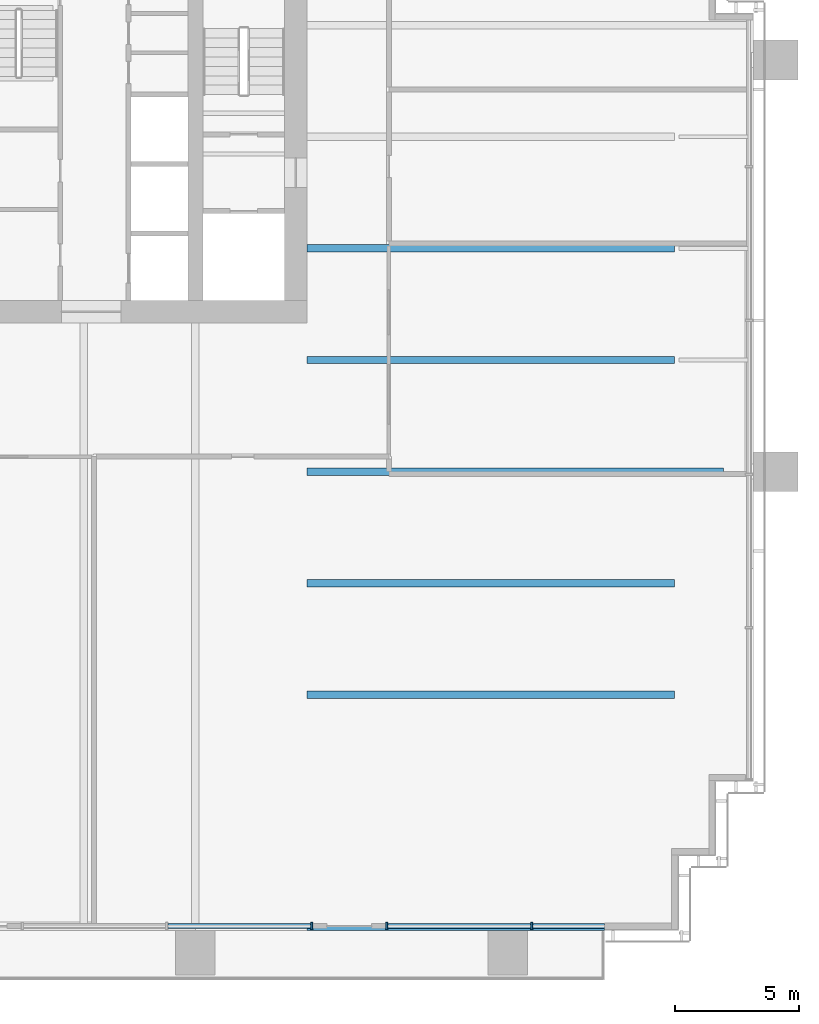
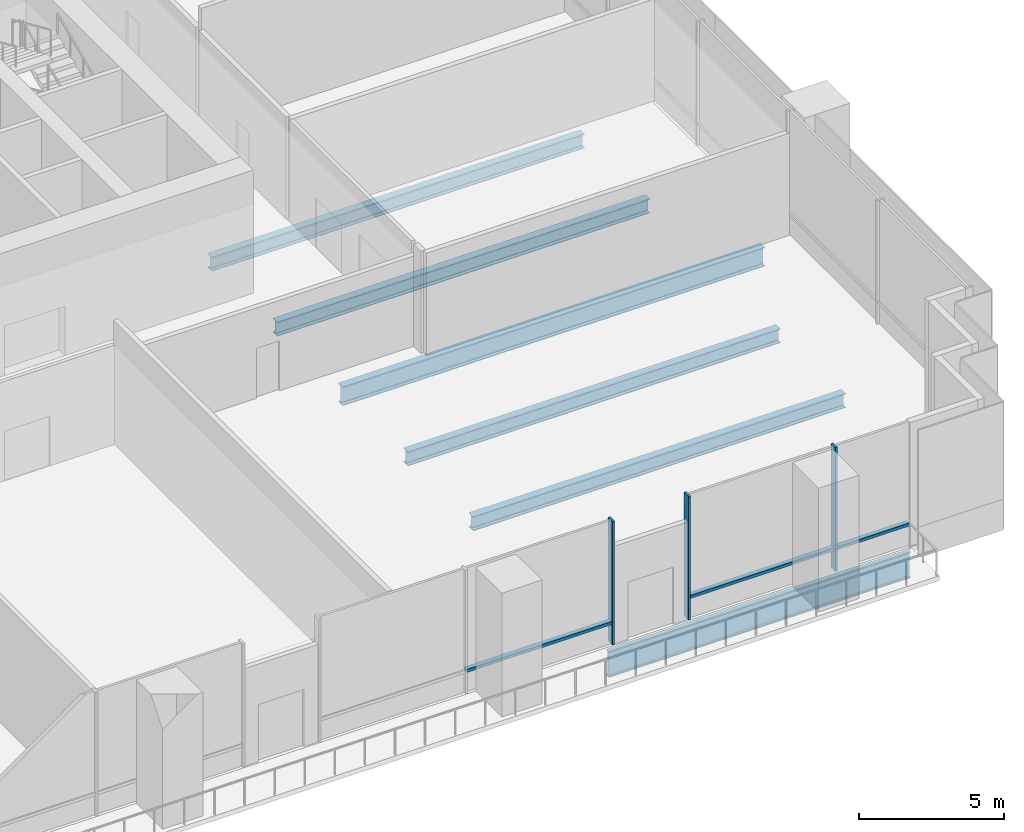
# One storey, part 3 of 15: 6 beams, 6 members, 2 elements without a shape of their own.
"""IFC4 building model written with IfcOpenShell, lengths in metres."""

from ifc_helpers import new_model, si_unit, direction, frame, origin, origin_2d, place, context, subcontext, project, spatial, rectangle, i_section, extrude, material, layer, layer_set, material_profile, profile_set, type_object, element, aggregate, save


model = new_model("IFC4")

# Units and contexts
model_context = context("Model", 3, precision=1e-05, world=origin(), true_north=direction((0.0, 1.0)))
body_context = subcontext(model_context, "Body", "Model", "MODEL_VIEW")
ifc_project = project(units=[si_unit("LENGTHUNIT", "METRE"), si_unit("AREAUNIT", "SQUARE_METRE"), si_unit("VOLUMEUNIT", "CUBIC_METRE"), si_unit("PLANEANGLEUNIT", "RADIAN"), si_unit("MASSUNIT", "GRAM", prefix="KILO")], contexts=[model_context])

# Site, building, storey
site_placement = place(None, origin())
site = spatial("IfcSite", under=ifc_project, at=site_placement, CompositionType="ELEMENT")
building_placement = place(site_placement, origin())
building = spatial("IfcBuilding", under=site, at=building_placement, Name="Rattan Terrace Tower", CompositionType="ELEMENT")
storey_placement = place(building_placement, frame((0.0, 0.0, 74.300048828125)))
storey = spatial("IfcBuildingStorey", under=building, at=storey_placement, Name="L16", CompositionType="ELEMENT", Elevation=74.300048828125)

# Beams
ifc_material_1 = material(Name="Steel S460", Category="steel")
ifc_material_profile_1 = material_profile(ifc_material_1, i_section(OverallWidth=0.179931640625, OverallDepth=1.10009765625, WebThickness=0.01611328125, FlangeThickness=0.050048828125, at=origin_2d()), Name="PG 1100x180-16-50")
ifc_profile_set_1 = profile_set([ifc_material_profile_1], Name="Steel S460")
beam_type_1 = type_object("IfcBeamType", Name="Frame edge girder PG 1100x180-16-50", PredefinedType="SPANDREL", material=ifc_profile_set_1)
beam_1_placement = place(storey_placement, frame((30.0, -31.909912109375, -0.75), z_axis=(-1.0, 0.0, 0.0), x_axis=(0.0, -1.0, 0.0)))
element("IfcBeam", 1, at=beam_1_placement, inside=storey, type_object=beam_type_1, Name="gdr-L16-003", PredefinedType="SPANDREL", context=body_context, shape_type="SweptSolid", body=[
    extrude(i_section(OverallWidth=0.179931640625, OverallDepth=1.10009765625, WebThickness=0.01611328125, FlangeThickness=0.050048828125, at=origin_2d()), origin(), (0.0, 0.0, 1.0), 12.0),
])
ifc_material_2 = material(Name="Steel S355", Category="steel")
ifc_material_profile_2 = material_profile(ifc_material_2, i_section(OverallWidth=0.300048828125, OverallDepth=0.60009765625, WebThickness=0.015380859375, FlangeThickness=0.030029296875, FilletRadius=0.027099609375, at=origin_2d()), Name="HE 600 B")
ifc_profile_set_2 = profile_set([ifc_material_profile_2], Name="Steel S355")
beam_type_2 = type_object("IfcBeamType", Name="Frame floor beam HE 600 B", PredefinedType="JOIST", material=ifc_profile_set_2)
for number, where, z_axis, x_axis, name in (
    (2, (18.0, -22.5, -0.5), (1.0, 0.0, 0.0), (0.0, 1.0, 0.0), "bm-L16-010"),
    (3, (18.0, -18.0, -0.5), (1.0, 0.0, 0.0), (0.0, 1.0, 0.0), "bm-L16-011"),
    (4, (18.0, -9.0, -0.5), (1.0, 0.0, 0.0), (0.0, 1.0, 0.0), "bm-L16-014"),
    (5, (18.0, -4.5, -0.5), (1.0, 0.0, 0.0), (0.0, 1.0, 0.0), "bm-L16-017"),
):
    element("IfcBeam", number, at=place(storey_placement, frame(where, z_axis=z_axis, x_axis=x_axis)), inside=storey, type_object=beam_type_2, Name=name, PredefinedType="JOIST", context=body_context, shape_type="SweptSolid", body=[
        extrude(i_section(OverallWidth=0.300048828125, OverallDepth=0.60009765625, WebThickness=0.015380859375, FlangeThickness=0.030029296875, FilletRadius=0.027099609375, at=origin_2d()), origin(), (0.0, 0.0, 1.0), 14.820068359375),
    ])
ifc_material_3 = material(Name="Steel S355", Category="steel")
ifc_material_profile_3 = material_profile(ifc_material_3, i_section(OverallWidth=0.300048828125, OverallDepth=0.800048828125, WebThickness=0.017578125, FlangeThickness=0.032958984375, FilletRadius=0.030029296875, at=origin_2d()), Name="HE 800 B")
ifc_profile_set_3 = profile_set([ifc_material_profile_3], Name="Steel S355")
beam_type_3 = type_object("IfcBeamType", Name="Frame floor beam HE 800 B", PredefinedType="JOIST", material=ifc_profile_set_3)
beam_2_placement = place(storey_placement, frame((18.0, -13.5, -0.60009765625), z_axis=(1.0, 0.0, 0.0), x_axis=(0.0, 1.0, 0.0)))
element("IfcBeam", 6, at=beam_2_placement, inside=storey, type_object=beam_type_3, Name="bm-L16-012", PredefinedType="JOIST", context=body_context, shape_type="SweptSolid", body=[
    extrude(i_section(OverallWidth=0.300048828125, OverallDepth=0.800048828125, WebThickness=0.017578125, FlangeThickness=0.032958984375, FilletRadius=0.030029296875, at=origin_2d()), origin(), (0.0, 0.0, 1.0), 16.800048828125),
])

# Curtain wall, member
ifc_material_4 = material(Name="Steel fins, aluminium and glass", Category="steel")
ifc_layer = layer(ifc_material_4, 0.300048828125)
ifc_layer_set = layer_set([ifc_layer], Name="Sky Lobby Stick Curtain Wall")
curtain_wall_type = type_object("IfcCurtainWallType", Name="Sky Lobby Stick Curtain Wall", PredefinedType="NOTDEFINED", material=ifc_layer_set)
curtain_wall_1_placement = place(storey_placement, origin())
curtain_wall_1 = element("IfcCurtainWall", 7, at=curtain_wall_1_placement, inside=storey, type_object=curtain_wall_type, Name="Sky lobby curtain wall L16-8", PredefinedType="NOTDEFINED")
ifc_material_5 = material(Name="Steel S355", Category="steel")
ifc_material_profile_4 = material_profile(ifc_material_5, rectangle(XDim=0.080078125, YDim=0.300048828125, at=origin_2d()), Name="Steel S355 80x300")
ifc_profile_set_4 = profile_set([ifc_material_profile_4], Name="Steel S355")
member_type_1 = type_object("IfcMemberType", Name="Sky Lobby CW Fin 80x300", PredefinedType="MULLION", material=ifc_profile_set_4)
member_1_placement = place(storey_placement, frame((18.193115234375, -31.830078125, 0.0), z_axis=(0.0, 0.0, 1.0), x_axis=(1.0, 0.0, 0.0)))
member_1 = element("IfcMember", 8, at=member_1_placement, type_object=member_type_1, Name="Mullion cwl-L16-008.3", PredefinedType="MULLION", context=body_context, shape_type="SweptSolid", body=[
    extrude(rectangle(XDim=0.080078125, YDim=0.300048828125, at=origin_2d()), origin(), (0.0, 0.0, 1.0), 5.199951171875),
])

# Curtain wall, members
curtain_wall_2_placement = place(storey_placement, origin())
curtain_wall_2 = element("IfcCurtainWall", 9, at=curtain_wall_2_placement, inside=storey, type_object=curtain_wall_type, Name="Sky lobby curtain wall L16-9", PredefinedType="NOTDEFINED")
member_2_placement = place(storey_placement, frame((21.214111328125, -31.830078125, 0.0), z_axis=(0.0, 0.0, 1.0), x_axis=(1.0, 0.0, 0.0)))
member_2 = element("IfcMember", 10, at=member_2_placement, type_object=member_type_1, Name="Mullion cwl-L16-009.1", PredefinedType="MULLION", context=body_context, shape_type="SweptSolid", body=[
    extrude(rectangle(XDim=0.080078125, YDim=0.300048828125, at=origin_2d()), origin(), (0.0, 0.0, 1.0), 5.199951171875),
])
member_3_placement = place(storey_placement, frame((27.055908203125, -31.830078125, 0.0), z_axis=(0.0, 0.0, 1.0), x_axis=(1.0, 0.0, 0.0)))
member_3 = element("IfcMember", 11, at=member_3_placement, type_object=member_type_1, Name="Mullion cwl-L16-009.2", PredefinedType="MULLION", context=body_context, shape_type="SweptSolid", body=[
    extrude(rectangle(XDim=0.080078125, YDim=0.300048828125, at=origin_2d()), origin(), (0.0, 0.0, 1.0), 5.199951171875),
])

# Member
ifc_material_6 = material(Name="Aluminium", Category="aluminium")
ifc_material_profile_5 = material_profile(ifc_material_6, rectangle(XDim=0.199951171875, YDim=0.1201171875, at=origin_2d()), Name="Aluminium 200x120")
ifc_profile_set_5 = profile_set([ifc_material_profile_5], Name="Aluminium")
member_type_2 = type_object("IfcMemberType", Name="Sky Lobby CW Transom 200x120", PredefinedType="USERDEFINED", material=ifc_profile_set_5)
member_4_placement = place(storey_placement, frame((12.39111328125, -31.830078125, 0.89990234375), z_axis=(1.0, 0.0, 0.0), x_axis=(0.0, 1.0, 0.0)))
member_4 = element("IfcMember", 12, at=member_4_placement, type_object=member_type_2, Name="Transom cwl-L16-008.2", ObjectType="TRANSOM", PredefinedType="USERDEFINED", context=body_context, shape_type="SweptSolid", body=[
    extrude(rectangle(XDim=0.199951171875, YDim=0.1201171875, at=origin_2d()), origin(), (0.0, 0.0, 1.0), 5.761962890625),
])

aggregate(curtain_wall_1, [member_1, member_4])

member_5_placement = place(storey_placement, frame((21.25390625, -31.830078125, 0.89990234375), z_axis=(1.0, 0.0, 0.0), x_axis=(0.0, 1.0, 0.0)))
member_5 = element("IfcMember", 13, at=member_5_placement, type_object=member_type_2, Name="Transom cwl-L16-009.1", ObjectType="TRANSOM", PredefinedType="USERDEFINED", context=body_context, shape_type="SweptSolid", body=[
    extrude(rectangle(XDim=0.199951171875, YDim=0.1201171875, at=origin_2d()), origin(), (0.0, 0.0, 1.0), 5.76220703125),
])

member_6_placement = place(storey_placement, frame((27.095947265625, -31.830078125, 0.89990234375), z_axis=(1.0, 0.0, 0.0), x_axis=(0.0, 1.0, 0.0)))
member_6 = element("IfcMember", 14, at=member_6_placement, type_object=member_type_2, Name="Transom cwl-L16-009.2", ObjectType="TRANSOM", PredefinedType="USERDEFINED", context=body_context, shape_type="SweptSolid", body=[
    extrude(rectangle(XDim=0.199951171875, YDim=0.1201171875, at=origin_2d()), origin(), (0.0, 0.0, 1.0), 2.904052734375),
])

aggregate(curtain_wall_2, [member_2, member_3, member_5, member_6])

save(model, "model.ifc")
